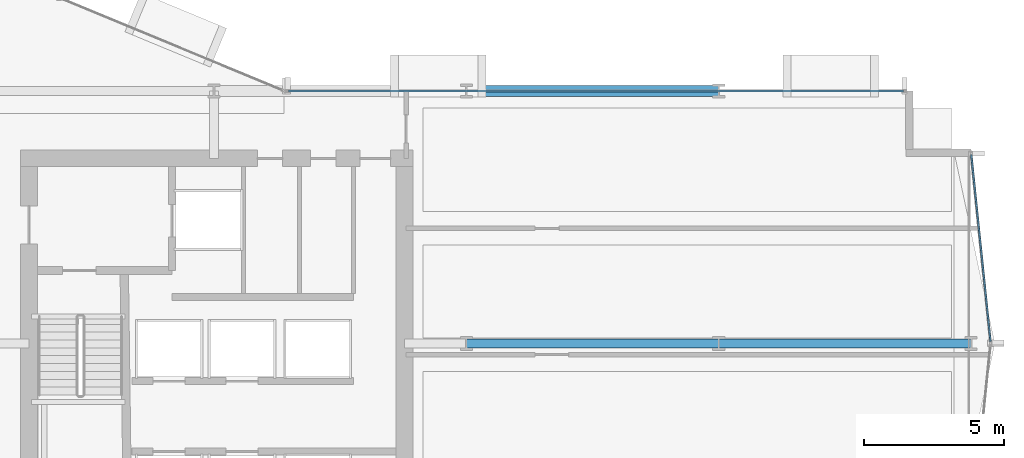
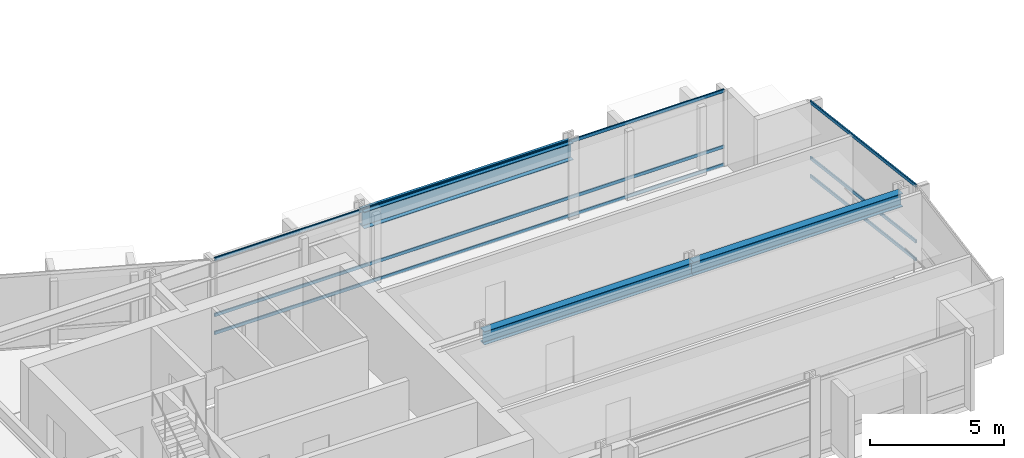
# One storey, part 16 of 34: 6 members, 3 beams, 2 elements without a shape of their own.
"""IFC4 building model written with IfcOpenShell, lengths in metres."""

from ifc_helpers import new_model, si_unit, direction, frame, origin, origin_2d, place, context, subcontext, project, spatial, hollow_rectangle, i_section, extrude, material, layer, layer_set, material_profile, profile_set, type_object, element, aggregate, save


model = new_model("IFC4")

# Units and contexts
model_context = context("Model", 3, precision=1e-05, world=origin(), true_north=direction((0.0, 1.0)))
body_context = subcontext(model_context, "Body", "Model", "MODEL_VIEW")
ifc_project = project(units=[si_unit("LENGTHUNIT", "METRE"), si_unit("AREAUNIT", "SQUARE_METRE"), si_unit("VOLUMEUNIT", "CUBIC_METRE"), si_unit("PLANEANGLEUNIT", "RADIAN"), si_unit("MASSUNIT", "GRAM", prefix="KILO")], contexts=[model_context])

# Site, building, storey
site_placement = place(None, origin())
site = spatial("IfcSite", under=ifc_project, at=site_placement, CompositionType="ELEMENT")
building_placement = place(site_placement, origin())
building = spatial("IfcBuilding", under=site, at=building_placement, Name="Solvaryn Broadcast Tower", CompositionType="ELEMENT")
storey_placement = place(building_placement, frame((0.0, 0.0, 47.10009765625)))
storey = spatial("IfcBuildingStorey", under=building, at=storey_placement, Name="L10", CompositionType="ELEMENT", Elevation=47.10009765625)

# Beams
ifc_material_1 = material(Name="Steel ASTM A992 Grade 50", Category="steel")
ifc_material_profile_1 = material_profile(ifc_material_1, i_section(OverallWidth=0.323974609375, OverallDepth=0.611083984375, WebThickness=0.0126953125, FlangeThickness=0.01904296875, FilletRadius=0.014892578125, at=origin_2d()))
ifc_profile_set_1 = profile_set([ifc_material_profile_1], Name="Steel ASTM A992 Grade 50")
beam_type_1 = type_object("IfcBeamType", Name="BM-B1-W24X104", PredefinedType="BEAM", material=ifc_profile_set_1)
for number, where, z_axis, x_axis, name in (
    (1, (45.0, 18.0, 3.114501953125), (1.0, 0.0, 0.0), (0.0, 1.0, 0.0), "L10 Primary Beam X (45-54 @ Y=18)"),
    (2, (54.0, 18.0, 3.114501953125), (1.0, 0.0, 0.0), (0.0, 1.0, 0.0), "L10 Primary Beam X (54-63 @ Y=18)"),
):
    element("IfcBeam", number, at=place(storey_placement, frame(where, z_axis=z_axis, x_axis=x_axis)), inside=storey, type_object=beam_type_1, Name=name, PredefinedType="BEAM", context=body_context, shape_type="SweptSolid", body=[
        extrude(i_section(OverallWidth=0.323974609375, OverallDepth=0.611083984375, WebThickness=0.0126953125, FlangeThickness=0.01904296875, FilletRadius=0.014892578125, at=origin_2d()), origin(), (0.0, 0.0, 1.0), 9.0),
    ])
ifc_material_2 = material(Name="Steel ASTM A992 Grade 50", Category="steel")
ifc_material_profile_2 = material_profile(ifc_material_2, i_section(OverallWidth=0.381103515625, OverallDepth=0.77294921875, WebThickness=0.0166015625, FlangeThickness=0.027099609375, FilletRadius=0.01806640625, at=origin_2d()))
ifc_profile_set_2 = profile_set([ifc_material_profile_2], Name="Steel ASTM A992 Grade 50")
beam_type_2 = type_object("IfcBeamType", Name="BM-SP1-W30X173", PredefinedType="USERDEFINED", material=ifc_profile_set_2)
beam_placement = place(storey_placement, frame((45.0, 27.0, 3.033447265625), z_axis=(1.0, 0.0, 0.0), x_axis=(0.0, 1.0, 0.0)))
element("IfcBeam", 3, at=beam_placement, inside=storey, type_object=beam_type_2, Name="L10 Spandrel Beam X (45-54 @ Y=27)", ObjectType="SPANDREL", PredefinedType="USERDEFINED", context=body_context, shape_type="SweptSolid", body=[
    extrude(i_section(OverallWidth=0.381103515625, OverallDepth=0.77294921875, WebThickness=0.0166015625, FlangeThickness=0.027099609375, FilletRadius=0.01806640625, at=origin_2d()), origin(), (0.0, 0.0, 1.0), 9.0),
])

# Curtain wall, members
ifc_material_3 = material(Name="Aluminium and Terracotta Unitised Curtain Wall", Category="masonry")
ifc_layer = layer(ifc_material_3, 0.199951171875)
ifc_layer_set = layer_set([ifc_layer], Name="CW-SYS2-LOWMID")
curtain_wall_type = type_object("IfcCurtainWallType", Name="CW-SYS2-LOWMID", PredefinedType="NOTDEFINED", material=ifc_layer_set)
curtain_wall_1_placement = place(storey_placement, origin())
curtain_wall_1 = element("IfcCurtainWall", 4, at=curtain_wall_1_placement, inside=storey, type_object=curtain_wall_type, Name="L10 Curtain Wall ET1", PredefinedType="NOTDEFINED")
ifc_material_4 = material(Name="Anodised Aluminium 6063-T6", Category="aluminium")
ifc_material_profile_3 = material_profile(ifc_material_4, hollow_rectangle(XDim=0.06494140625, YDim=0.14990234375, WallThickness=0.00390625, InnerFilletRadius=0.00390625, OuterFilletRadius=0.008056640625, at=origin_2d()))
ifc_profile_set_3 = profile_set([ifc_material_profile_3], Name="Anodised Aluminium 6063-T6")
member_type = type_object("IfcMemberType", Name="CW-TRN-150", PredefinedType="USERDEFINED", material=ifc_profile_set_3)
member_1_placement = place(storey_placement, frame((63.006103515625, 24.740234375, 0.02978515625), z_axis=(0.102404277363, -0.994742863245, 0.0), x_axis=(0.994742863245, 0.102404277363, 0.0)))
member_1 = element("IfcMember", 5, at=member_1_placement, type_object=member_type, Name="CWS2 transom 1.1", ObjectType="TRANSOM", PredefinedType="USERDEFINED", context=body_context, shape_type="SweptSolid", body=[
    extrude(hollow_rectangle(XDim=0.06494140625, YDim=0.14990234375, WallThickness=0.00390625, InnerFilletRadius=0.00390625, OuterFilletRadius=0.008056640625, at=origin_2d()), origin(), (0.0, 0.0, 1.0), 6.716064453125),
])
member_2_placement = place(storey_placement, frame((63.006103515625, 24.740234375, 0.849853515625), z_axis=(0.102404277363, -0.994742863245, 0.0), x_axis=(0.994742863245, 0.102404277363, 0.0)))
member_2 = element("IfcMember", 6, at=member_2_placement, type_object=member_type, Name="CWS2 transom 1.2", ObjectType="TRANSOM", PredefinedType="USERDEFINED", context=body_context, shape_type="SweptSolid", body=[
    extrude(hollow_rectangle(XDim=0.06494140625, YDim=0.14990234375, WallThickness=0.00390625, InnerFilletRadius=0.00390625, OuterFilletRadius=0.008056640625, at=origin_2d()), origin(), (0.0, 0.0, 1.0), 6.716064453125),
])
member_3_placement = place(storey_placement, frame((63.006103515625, 24.740234375, 3.389892578125), z_axis=(0.102404277363, -0.994742863245, 0.0), x_axis=(0.994742863245, 0.102404277363, 0.0)))
member_3 = element("IfcMember", 7, at=member_3_placement, type_object=member_type, Name="CWS2 transom 1.3", ObjectType="TRANSOM", PredefinedType="USERDEFINED", context=body_context, shape_type="SweptSolid", body=[
    extrude(hollow_rectangle(XDim=0.06494140625, YDim=0.14990234375, WallThickness=0.00390625, InnerFilletRadius=0.00390625, OuterFilletRadius=0.008056640625, at=origin_2d()), origin(), (0.0, 0.0, 1.0), 6.716064453125),
])
aggregate(curtain_wall_1, [member_1, member_2, member_3])

curtain_wall_2_placement = place(storey_placement, origin())
curtain_wall_2 = element("IfcCurtainWall", 8, at=curtain_wall_2_placement, inside=storey, type_object=curtain_wall_type, Name="L10 Curtain Wall IH", PredefinedType="NOTDEFINED")
member_4_placement = place(storey_placement, frame((38.659912109375, 27.0, 0.02978515625), z_axis=(1.0, 0.0, 0.0), x_axis=(0.0, 1.0, 0.0)))
member_4 = element("IfcMember", 9, at=member_4_placement, type_object=member_type, Name="CWS2 transom 1.1", ObjectType="TRANSOM", PredefinedType="USERDEFINED", context=body_context, shape_type="SweptSolid", body=[
    extrude(hollow_rectangle(XDim=0.06494140625, YDim=0.14990234375, WallThickness=0.00390625, InnerFilletRadius=0.00390625, OuterFilletRadius=0.008056640625, at=origin_2d()), origin(), (0.0, 0.0, 1.0), 21.93017578125),
])
member_5_placement = place(storey_placement, frame((38.659912109375, 27.0, 0.849853515625), z_axis=(1.0, 0.0, 0.0), x_axis=(0.0, 1.0, 0.0)))
member_5 = element("IfcMember", 10, at=member_5_placement, type_object=member_type, Name="CWS2 transom 1.2", ObjectType="TRANSOM", PredefinedType="USERDEFINED", context=body_context, shape_type="SweptSolid", body=[
    extrude(hollow_rectangle(XDim=0.06494140625, YDim=0.14990234375, WallThickness=0.00390625, InnerFilletRadius=0.00390625, OuterFilletRadius=0.008056640625, at=origin_2d()), origin(), (0.0, 0.0, 1.0), 21.93017578125),
])
member_6_placement = place(storey_placement, frame((38.659912109375, 27.0, 3.389892578125), z_axis=(1.0, 0.0, 0.0), x_axis=(0.0, 1.0, 0.0)))
member_6 = element("IfcMember", 11, at=member_6_placement, type_object=member_type, Name="CWS2 transom 1.3", ObjectType="TRANSOM", PredefinedType="USERDEFINED", context=body_context, shape_type="SweptSolid", body=[
    extrude(hollow_rectangle(XDim=0.06494140625, YDim=0.14990234375, WallThickness=0.00390625, InnerFilletRadius=0.00390625, OuterFilletRadius=0.008056640625, at=origin_2d()), origin(), (0.0, 0.0, 1.0), 21.93017578125),
])
aggregate(curtain_wall_2, [member_4, member_5, member_6])

save(model, "model.ifc")
